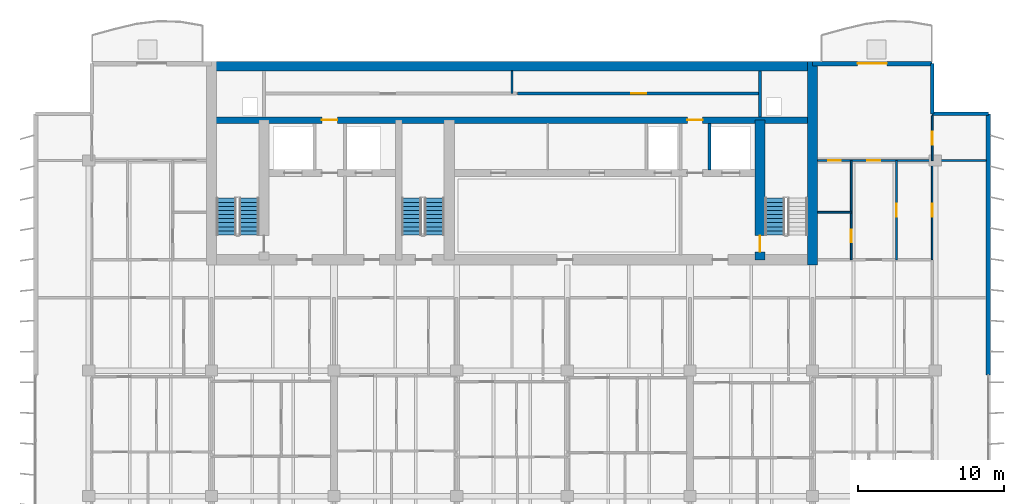
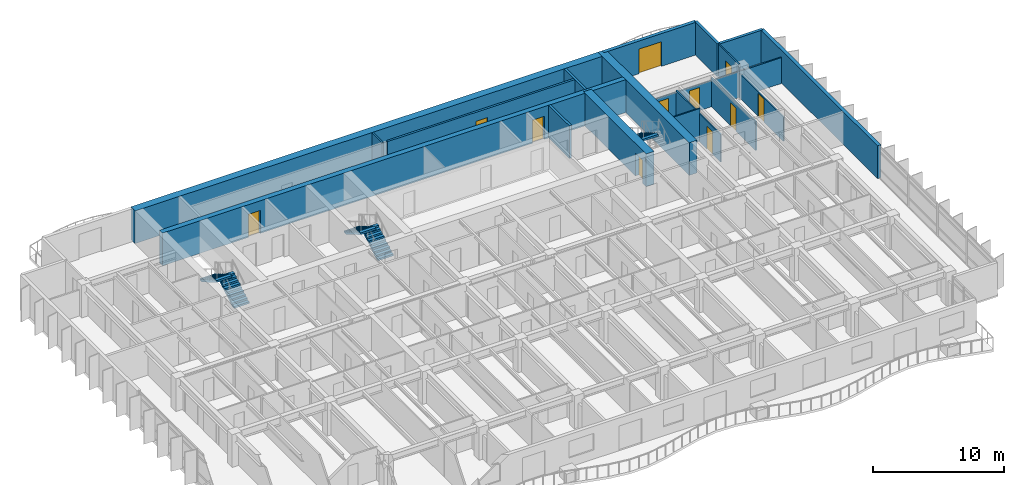
# One storey, part 14 of 19: 18 walls, 11 doors, 5 stair flights, 11 openings, 3 elements without a shape of their own.
"""IFC4 building model written with IfcOpenShell, lengths in metres."""

from ifc_helpers import new_model, si_unit, direction, frame, frame_2d, origin, place, context, subcontext, project, spatial, polyline, rectangle, outline, extrude, material, layer, layer_set, type_object, element, fill, aggregate, save


model = new_model("IFC4")

# Units and contexts
model_context = context("Model", 3, precision=1e-05, world=origin(), true_north=direction((0.0, 1.0)))
body_context = subcontext(model_context, "Body", "Model", "MODEL_VIEW")
ifc_project = project(units=[si_unit("LENGTHUNIT", "METRE"), si_unit("AREAUNIT", "SQUARE_METRE"), si_unit("VOLUMEUNIT", "CUBIC_METRE"), si_unit("PLANEANGLEUNIT", "RADIAN"), si_unit("MASSUNIT", "GRAM", prefix="KILO")], contexts=[model_context])

# Site, building, storey
site_placement = place(None, origin())
site = spatial("IfcSite", under=ifc_project, at=site_placement, CompositionType="ELEMENT")
building_placement = place(site_placement, origin())
building = spatial("IfcBuilding", under=site, at=building_placement, Name="Caelmar Bay Residences", CompositionType="ELEMENT")
storey_placement = place(building_placement, frame((0.0, 0.0, 214.800048828125)))
storey = spatial("IfcBuildingStorey", under=building, at=storey_placement, Name="L60", CompositionType="ELEMENT", Elevation=214.800048828125)

# Wall
ifc_material_1 = material(Name="Concrete f'c 55 MPa (8,000 psi)", Category="concrete")
ifc_layer_1 = layer(ifc_material_1, 0.699951171875)
ifc_layer_set_1 = layer_set([ifc_layer_1], Name="Concrete f'c 55 MPa (8,000 psi)")
wall_type_1 = type_object("IfcWallType", Name="SW-COR-700", PredefinedType="SHEAR", material=ifc_layer_set_1)
wall_1_placement = place(storey_placement, frame((59.5, 36.64990234375, 0.0), z_axis=(0.0, 0.0, 1.0), x_axis=(0.0, 1.0, 0.0)))
element("IfcWall", 1, at=wall_1_placement, inside=storey, type_object=wall_type_1, Name="L60 Rear Core East Shear Wall", PredefinedType="SHEAR", context=body_context, shape_type="SweptSolid", body=[
    extrude(rectangle(XDim=13.9501953125, YDim=0.699951171875, at=frame_2d((6.97509765625, 0.0))), origin(), (0.0, 0.0, 1.0), 3.050048828125),
])

# Wall, opening, door
wall_2_placement = place(storey_placement, frame((55.89990234375, 37.0, 0.0), z_axis=(0.0, 0.0, 1.0), x_axis=(0.0, 1.0, 0.0)))
wall_2 = element("IfcWall", 2, at=wall_2_placement, inside=storey, type_object=wall_type_1, Name="L60 Core Structural Web Wall ST2W", PredefinedType="SHEAR", context=body_context, shape_type="SweptSolid", body=[
    extrude(rectangle(XDim=9.574951171875, YDim=0.699951171875, at=frame_2d((4.78759765625, 0.0))), origin(), (0.0, 0.0, 1.0), 3.050048828125),
])
opening_1_placement = place(wall_2_placement, frame((0.550048828125, 0.0, 0.0)))
opening_1 = element("IfcOpeningElement", 3, at=opening_1_placement, cuts=wall_2, Name="Opening D-L60-110", PredefinedType="OPENING", context=body_context, shape_type="SweptSolid", body=[
    extrude(rectangle(XDim=1.10009765625, YDim=2.14990234375, at=frame_2d((0.550048828125, 1.074951171875))), frame((0.0, 0.35986328125, 0.0), z_axis=(0.0, -1.0, 0.0), x_axis=(1.0, 0.0, 0.0)), (0.0, 0.0, 1.0), 0.719970703125),
])
ifc_material_2 = material(Name="Fire-rated steel and walnut architectural door assembly", Category="steel")
ifc_layer_2 = layer(ifc_material_2, 0.050048828125)
ifc_layer_set_2 = layer_set([ifc_layer_2], Name="Fire-rated steel and walnut architectural door assembly")
door_type_1 = type_object("IfcDoorType", Name="D-STAIR-1100", OperationType="NOTDEFINED", PredefinedType="DOOR", material=ifc_layer_set_2)
door_1_placement = place(opening_1_placement, origin())
door_1 = element("IfcDoor", 4, at=door_1_placement, inside=storey, type_object=door_type_1, Name="L60 Firefighting Lobby East Door", OperationType="SINGLE_SWING_LEFT", OverallHeight=2.14990234375, OverallWidth=1.10009765625, PredefinedType="DOOR", context=body_context, shape_type="SweptSolid", body=[
    extrude(rectangle(XDim=1.10009765625, YDim=2.14990234375, at=frame_2d((0.550048828125, 1.074951171875))), frame((0.0, 0.02490234375, 0.0), z_axis=(0.0, -1.0, 0.0), x_axis=(1.0, 0.0, 0.0)), (0.0, 0.0, 1.0), 0.050048828125),
])
fill(opening_1, door_1)

# Wall
ifc_layer_3 = layer(ifc_material_1, 0.64990234375)
ifc_layer_set_3 = layer_set([ifc_layer_3], Name="Concrete f'c 55 MPa (8,000 psi)")
wall_type_2 = type_object("IfcWallType", Name="SW-CORN-650", PredefinedType="SHEAR", material=ifc_layer_set_3)
wall_3_placement = place(storey_placement, frame((17.949951171875, 50.27490234375, 0.0), z_axis=(0.0, 0.0, 1.0), x_axis=(1.0, 0.0, 0.0)))
element("IfcWall", 5, at=wall_3_placement, inside=storey, type_object=wall_type_2, Name="L60 Rear Core North Shear Wall", PredefinedType="SHEAR", context=body_context, shape_type="SweptSolid", body=[
    extrude(rectangle(XDim=41.900146484375, YDim=0.64990234375, at=frame_2d((20.9501953125, 0.0))), origin(), (0.0, 0.0, 1.0), 3.050048828125),
])

# Wall, openings, doors
ifc_material_3 = material(Name="Concrete f'c 70 MPa (10,000 psi)", Category="concrete")
ifc_layer_4 = layer(ifc_material_3, 0.449951171875)
ifc_layer_set_4 = layer_set([ifc_layer_4], Name="Concrete f'c 70 MPa (10,000 psi)")
wall_type_3 = type_object("IfcWallType", Name="SW-WEB-450", PredefinedType="SHEAR", material=ifc_layer_set_4)
wall_4_placement = place(storey_placement, frame((18.300048828125, 46.574951171875, 0.0), z_axis=(0.0, 0.0, 1.0), x_axis=(1.0, 0.0, 0.0)))
wall_4 = element("IfcWall", 6, at=wall_4_placement, inside=storey, type_object=wall_type_3, Name="L60 Core Structural Web Wall SRVS", PredefinedType="SHEAR", context=body_context, shape_type="SweptSolid", body=[
    extrude(rectangle(XDim=41.199951171875, YDim=0.449951171875, at=frame_2d((20.60009765625, 0.0))), origin(), (0.0, 0.0, 1.0), 3.050048828125),
])
opening_2_placement = place(wall_4_placement, frame((7.574951171875, 0.0, 0.0)))
opening_2 = element("IfcOpeningElement", 7, at=opening_2_placement, cuts=wall_4, Name="Opening D-L60-116", PredefinedType="OPENING", context=body_context, shape_type="SweptSolid", body=[
    extrude(rectangle(XDim=1.050048828125, YDim=2.14990234375, at=frame_2d((0.52490234375, 1.074951171875))), frame((0.0, 0.23486328125, 0.0), z_axis=(0.0, -1.0, 0.0), x_axis=(1.0, 0.0, 0.0)), (0.0, 0.0, 1.0), 0.469970703125),
])
opening_3_placement = place(wall_4_placement, frame((32.625, 0.0, 0.0)))
opening_3 = element("IfcOpeningElement", 8, at=opening_3_placement, cuts=wall_4, Name="Opening D-L60-117", PredefinedType="OPENING", context=body_context, shape_type="SweptSolid", body=[
    extrude(rectangle(XDim=1.050048828125, YDim=2.14990234375, at=frame_2d((0.52490234375, 1.074951171875))), frame((0.0, 0.23486328125, 0.0), z_axis=(0.0, -1.0, 0.0), x_axis=(1.0, 0.0, 0.0)), (0.0, 0.0, 1.0), 0.469970703125),
])
ifc_layer_5 = layer(ifc_material_2, 0.050048828125)
ifc_layer_set_5 = layer_set([ifc_layer_5], Name="Fire-rated steel and walnut architectural door assembly")
door_type_2 = type_object("IfcDoorType", Name="D-FSAE-1050", OperationType="NOTDEFINED", PredefinedType="DOOR", material=ifc_layer_set_5)
door_2_placement = place(opening_2_placement, origin())
door_2 = element("IfcDoor", 9, at=door_2_placement, inside=storey, type_object=door_type_2, Name="L60 Core Service Corridor Door", OperationType="SINGLE_SWING_LEFT", OverallHeight=2.14990234375, OverallWidth=1.050048828125, PredefinedType="DOOR", context=body_context, shape_type="SweptSolid", body=[
    extrude(rectangle(XDim=1.050048828125, YDim=2.14990234375, at=frame_2d((0.52490234375, 1.074951171875))), frame((0.0, 0.02490234375, 0.0), z_axis=(0.0, -1.0, 0.0), x_axis=(1.0, 0.0, 0.0)), (0.0, 0.0, 1.0), 0.050048828125),
])
fill(opening_2, door_2)
door_3_placement = place(opening_3_placement, origin())
door_3 = element("IfcDoor", 10, at=door_3_placement, inside=storey, type_object=door_type_2, Name="L60 Core Service Corridor Door", OperationType="SINGLE_SWING_RIGHT", OverallHeight=2.14990234375, OverallWidth=1.050048828125, PredefinedType="DOOR", context=body_context, shape_type="SweptSolid", body=[
    extrude(rectangle(XDim=1.050048828125, YDim=2.14990234375, at=frame_2d((0.52490234375, 1.074951171875))), frame((0.0, 0.02490234375, 0.0), z_axis=(0.0, -1.0, 0.0), x_axis=(1.0, 0.0, 0.0)), (0.0, 0.0, 1.0), 0.050048828125),
])
fill(opening_3, door_3)

# Wall, opening, door
ifc_material_4 = material(Name="Double-stud acoustic fire-rated gypsum partition 180 mm")
ifc_layer_6 = layer(ifc_material_4, 0.179931640625)
ifc_layer_set_6 = layer_set([ifc_layer_6], Name="Double-stud acoustic fire-rated gypsum partition 180 mm")
wall_type_4 = type_object("IfcWallType", Name="W-COR-200", PredefinedType="PARTITIONING", material=ifc_layer_set_6)
wall_5_placement = place(storey_placement, frame((39.280029296875, 48.39990234375, 0.0), z_axis=(0.0, 0.0, 1.0), x_axis=(1.0, 0.0, 0.0)))
wall_5 = element("IfcWall", 11, at=wall_5_placement, inside=storey, type_object=wall_type_4, Name="L60 Partition Wall H137", PredefinedType="PARTITIONING", context=body_context, shape_type="SweptSolid", body=[
    extrude(rectangle(XDim=16.619873046875, YDim=0.179931640625, at=frame_2d((8.31005859375, 0.0))), origin(), (0.0, 0.0, 1.0), 3.050048828125),
])
opening_4_placement = place(wall_5_placement, frame((7.81005859375, 0.0, 0.0)))
opening_4 = element("IfcOpeningElement", 12, at=opening_4_placement, cuts=wall_5, Name="Opening D-L60-119", PredefinedType="OPENING", context=body_context, shape_type="SweptSolid", body=[
    extrude(rectangle(XDim=1.0, YDim=2.199951171875, at=frame_2d((0.5, 1.10009765625))), frame((0.0, 0.099853515625, 0.0), z_axis=(0.0, -1.0, 0.0), x_axis=(1.0, 0.0, 0.0)), (0.0, 0.0, 1.0), 0.199951171875),
])
ifc_layer_7 = layer(ifc_material_2, 0.050048828125)
ifc_layer_set_7 = layer_set([ifc_layer_7], Name="Fire-rated steel and walnut architectural door assembly")
door_type_3 = type_object("IfcDoorType", Name="D-UNIT-1000", OperationType="NOTDEFINED", PredefinedType="DOOR", material=ifc_layer_set_7)
door_4_placement = place(opening_4_placement, origin())
door_4 = element("IfcDoor", 13, at=door_4_placement, inside=storey, type_object=door_type_3, Name="L60 Concierge Operations Office Door", OperationType="SINGLE_SWING_RIGHT", OverallHeight=2.199951171875, OverallWidth=1.0, PredefinedType="DOOR", context=body_context, shape_type="SweptSolid", body=[
    extrude(rectangle(XDim=1.0, YDim=2.199951171875, at=frame_2d((0.5, 1.10009765625))), frame((0.0, 0.02490234375, 0.0), z_axis=(0.0, -1.0, 0.0), x_axis=(1.0, 0.0, 0.0)), (0.0, 0.0, 1.0), 0.050048828125),
])
fill(opening_4, door_4)

# Walls
ifc_material_5 = material(Name="Precast concrete f'c 40 MPa (6,000 psi)", Category="concrete")
ifc_layer_8 = layer(ifc_material_5, 0.25)
ifc_layer_set_8 = layer_set([ifc_layer_8], Name="Precast concrete f'c 40 MPa (6,000 psi)")
wall_type_5 = type_object("IfcWallType", Name="W-EXT-250", PredefinedType="ELEMENTEDWALL", material=ifc_layer_set_8)
wall_6_placement = place(storey_placement, frame((67.699951171875, 50.449951171875, 0.0), z_axis=(0.0, 0.0, 1.0), x_axis=(0.0, -1.0, 0.0)))
element("IfcWall", 14, at=wall_6_placement, inside=storey, type_object=wall_type_5, Name="L60 NNE-V Notch Wall", PredefinedType="ELEMENTEDWALL", context=body_context, shape_type="SweptSolid", body=[
    extrude(rectangle(XDim=3.449951171875, YDim=0.25, at=frame_2d((1.72509765625, 0.0))), origin(), (0.0, 0.0, 1.0), 3.050048828125),
])
wall_7_placement = place(storey_placement, frame((67.699951171875, 47.0, 0.0), z_axis=(0.0, 0.0, 1.0), x_axis=(1.0, 0.0, 0.0)))
element("IfcWall", 15, at=wall_7_placement, inside=storey, type_object=wall_type_5, Name="L60 NNE-H Notch Wall", PredefinedType="ELEMENTEDWALL", context=body_context, shape_type="SweptSolid", body=[
    extrude(rectangle(XDim=3.85009765625, YDim=0.25, at=frame_2d((1.925048828125, 0.0))), origin(), (0.0, 0.0, 1.0), 3.050048828125),
])
ifc_layer_9 = layer(ifc_material_5, 0.300048828125)
ifc_layer_set_9 = layer_set([ifc_layer_9], Name="Precast concrete f'c 40 MPa (6,000 psi)")
wall_type_6 = type_object("IfcWallType", Name="W-EXT-300", PredefinedType="STANDARD", material=ifc_layer_set_9)
wall_8_placement = place(storey_placement, frame((71.550048828125, 47.0, 0.0), z_axis=(0.0, 0.0, 1.0), x_axis=(0.0, -1.0, 0.0)))
element("IfcWall", 16, at=wall_8_placement, inside=storey, type_object=wall_type_6, Name="L60 East Rear Exterior Wall", PredefinedType="STANDARD", context=body_context, shape_type="SweptSolid", body=[
    extrude(rectangle(XDim=17.89990234375, YDim=0.300048828125, at=frame_2d((8.949951171875, 0.0))), origin(), (0.0, 0.0, 1.0), 3.050048828125),
])

# Wall, opening, door
wall_9_placement = place(storey_placement, frame((59.5, 50.449951171875, 0.0), z_axis=(0.0, 0.0, 1.0), x_axis=(1.0, 0.0, 0.0)))
wall_9 = element("IfcWall", 17, at=wall_9_placement, inside=storey, type_object=wall_type_6, Name="L60 North-East Wing Exterior Wall", PredefinedType="STANDARD", context=body_context, shape_type="SweptSolid", body=[
    extrude(rectangle(XDim=8.199951171875, YDim=0.300048828125, at=frame_2d((4.10009765625, 0.0))), origin(), (0.0, 0.0, 1.0), 3.050048828125),
])
opening_5_placement = place(wall_9_placement, frame((3.10009765625, 0.0, 0.0)))
opening_5 = element("IfcOpeningElement", 18, at=opening_5_placement, cuts=wall_9, Name="Opening L60-BDNE", PredefinedType="OPENING", context=body_context, shape_type="SweptSolid", body=[
    extrude(rectangle(XDim=2.0, YDim=2.300048828125, at=frame_2d((1.0, 1.14990234375))), frame((0.0, 0.159912109375, 0.0), z_axis=(0.0, -1.0, 0.0), x_axis=(1.0, 0.0, 0.0)), (0.0, 0.0, 1.0), 0.320068359375),
])
ifc_material_6 = material(Name="Anodised bronze thermally broken sliding glass door", Category="glass")
ifc_layer_10 = layer(ifc_material_6, 0.050048828125)
ifc_layer_set_10 = layer_set([ifc_layer_10], Name="Anodised bronze thermally broken sliding glass door")
door_type_4 = type_object("IfcDoorType", Name="D-BAL-2000", OperationType="DOUBLE_DOOR_SLIDING", PredefinedType="DOOR", material=ifc_layer_set_10)
door_5_placement = place(opening_5_placement, origin())
door_5 = element("IfcDoor", 19, at=door_5_placement, inside=storey, type_object=door_type_4, Name="L60 North-East Balcony Door", OperationType="DOUBLE_DOOR_SLIDING", OverallHeight=2.300048828125, OverallWidth=2.0, PredefinedType="DOOR", context=body_context, shape_type="SweptSolid", body=[
    extrude(rectangle(XDim=2.0, YDim=2.300048828125, at=frame_2d((1.0, 1.14990234375))), frame((0.0, 0.02490234375, 0.0), z_axis=(0.0, -1.0, 0.0), x_axis=(1.0, 0.0, 0.0)), (0.0, 0.0, 1.0), 0.050048828125),
])
fill(opening_5, door_5)

# Walls
ifc_material_7 = material(Name="Fire-rated masonry and gypsum shaftliner assembly 200 mm", Category="masonry")
ifc_layer_11 = layer(ifc_material_7, 0.199951171875)
ifc_layer_set_11 = layer_set([ifc_layer_11], Name="Fire-rated masonry and gypsum shaftliner assembly 200 mm")
wall_type_7 = type_object("IfcWallType", Name="W-FSAE-200", PredefinedType="PARTITIONING", material=ifc_layer_set_11)
wall_10_placement = place(storey_placement, frame((52.449951171875, 43.169921875, 0.0), z_axis=(0.0, 0.0, 1.0), x_axis=(0.0, 1.0, 0.0)))
element("IfcWall", 20, at=wall_10_placement, inside=storey, type_object=wall_type_7, Name="L60 Partition Wall V074", PredefinedType="PARTITIONING", context=body_context, shape_type="SweptSolid", body=[
    extrude(rectangle(XDim=3.18505859375, YDim=0.199951171875, at=frame_2d((1.592529296875, 0.0))), origin(), (0.0, 0.0, 1.0), 3.050048828125),
])
wall_11_placement = place(storey_placement, frame((55.89990234375, 46.794921875, 0.0), z_axis=(0.0, 0.0, 1.0), x_axis=(0.0, 1.0, 0.0)))
element("IfcWall", 21, at=wall_11_placement, inside=storey, type_object=wall_type_7, Name="L60 Partition Wall V079", PredefinedType="PARTITIONING", context=body_context, shape_type="SweptSolid", body=[
    extrude(rectangle(XDim=3.16015625, YDim=0.199951171875, at=frame_2d((1.580078125, 0.0))), origin(), (0.0, 0.0, 1.0), 3.050048828125),
])

# Wall, opening, door
ifc_material_8 = material(Name="Anodised bronze framed acoustic sliding study partition 100 mm")
ifc_layer_12 = layer(ifc_material_8, 0.10009765625)
ifc_layer_set_12 = layer_set([ifc_layer_12], Name="Anodised bronze framed acoustic sliding study partition 100 mm")
wall_type_8 = type_object("IfcWallType", Name="W-MOV-100", PredefinedType="MOVABLE", material=ifc_layer_set_12)
wall_12_placement = place(storey_placement, frame((67.699951171875, 37.0048828125, 0.0), z_axis=(0.0, 0.0, 1.0), x_axis=(0.0, 1.0, 0.0)))
wall_12 = element("IfcWall", 22, at=wall_12_placement, inside=storey, type_object=wall_type_8, Name="L60 Partition Wall V102", PredefinedType="MOVABLE", context=body_context, shape_type="SweptSolid", body=[
    extrude(rectangle(XDim=6.795166015625, YDim=0.10009765625, at=frame_2d((3.3974609375, 0.0))), origin(), (0.0, 0.0, 1.0), 2.262939453125),
])
opening_6_placement = place(wall_12_placement, frame((2.947509765625, 0.0, 0.0)))
opening_6 = element("IfcOpeningElement", 23, at=opening_6_placement, cuts=wall_12, Name="Opening D-L60-182", PredefinedType="OPENING", context=body_context, shape_type="SweptSolid", body=[
    extrude(rectangle(XDim=0.89990234375, YDim=2.14990234375, at=frame_2d((0.449951171875, 1.074951171875))), frame((0.0, 0.06005859375, 0.0), z_axis=(0.0, -1.0, 0.0), x_axis=(1.0, 0.0, 0.0)), (0.0, 0.0, 1.0), 0.1201171875),
])
ifc_material_9 = material(Name="Solid walnut timber interior door leaf and frame", Category="wood")
ifc_layer_13 = layer(ifc_material_9, 0.050048828125)
ifc_layer_set_13 = layer_set([ifc_layer_13], Name="Solid walnut timber interior door leaf and frame")
door_type_5 = type_object("IfcDoorType", Name="D-ROOM-900", OperationType="NOTDEFINED", PredefinedType="DOOR", material=ifc_layer_set_13)
door_6_placement = place(opening_6_placement, origin())
door_6 = element("IfcDoor", 24, at=door_6_placement, inside=storey, type_object=door_type_5, Name="L60 Residence EA Sun Study Door", OperationType="SINGLE_SWING_LEFT", OverallHeight=2.14990234375, OverallWidth=0.89990234375, PredefinedType="DOOR", context=body_context, shape_type="SweptSolid", body=[
    extrude(rectangle(XDim=0.89990234375, YDim=2.14990234375, at=frame_2d((0.449951171875, 1.074951171875))), frame((0.0, 0.02490234375, 0.0), z_axis=(0.0, -1.0, 0.0), x_axis=(1.0, 0.0, 0.0)), (0.0, 0.0, 1.0), 0.050048828125),
])
fill(opening_6, door_6)

# Wall
ifc_material_10 = material(Name="Acoustic metal-stud gypsum partition 120 mm")
ifc_layer_14 = layer(ifc_material_10, 0.1201171875)
ifc_layer_set_14 = layer_set([ifc_layer_14], Name="Acoustic metal-stud gypsum partition 120 mm")
wall_type_9 = type_object("IfcWallType", Name="W-PRT-120", PredefinedType="PARTITIONING", material=ifc_layer_set_14)
wall_13_placement = place(storey_placement, frame((38.89990234375, 48.39990234375, 0.0), z_axis=(0.0, 0.0, 1.0), x_axis=(0.0, 1.0, 0.0)))
element("IfcWall", 25, at=wall_13_placement, inside=storey, type_object=wall_type_9, Name="L60 Partition Wall V048", PredefinedType="PARTITIONING", context=body_context, shape_type="SweptSolid", body=[
    extrude(rectangle(XDim=1.55517578125, YDim=0.1201171875, at=frame_2d((0.777587890625, 0.0))), origin(), (0.0, 0.0, 1.0), 3.050048828125),
])

# Wall, opening, door
wall_14_placement = place(storey_placement, frame((62.14990234375, 37.0, 0.0), z_axis=(0.0, 0.0, 1.0), x_axis=(0.0, 1.0, 0.0)))
wall_14 = element("IfcWall", 26, at=wall_14_placement, inside=storey, type_object=wall_type_9, Name="L60 Partition Wall V088", PredefinedType="PARTITIONING", context=body_context, shape_type="SweptSolid", body=[
    extrude(rectangle(XDim=6.800048828125, YDim=0.1201171875, at=frame_2d((3.39990234375, 0.0))), origin(), (0.0, 0.0, 1.0), 2.577880859375),
])
opening_7_placement = place(wall_14_placement, frame((1.20703125, 0.0, 0.0)))
opening_7 = element("IfcOpeningElement", 27, at=opening_7_placement, cuts=wall_14, Name="Opening D-L60-180", PredefinedType="OPENING", context=body_context, shape_type="SweptSolid", body=[
    extrude(rectangle(XDim=0.85009765625, YDim=2.10009765625, at=frame_2d((0.425048828125, 1.050048828125))), frame((0.0, 0.070068359375, 0.0), z_axis=(0.0, -1.0, 0.0), x_axis=(1.0, 0.0, 0.0)), (0.0, 0.0, 1.0), 0.14013671875),
])
ifc_layer_15 = layer(ifc_material_9, 0.050048828125)
ifc_layer_set_15 = layer_set([ifc_layer_15], Name="Solid walnut timber interior door leaf and frame")
door_type_6 = type_object("IfcDoorType", Name="D-BATH-850", OperationType="NOTDEFINED", PredefinedType="DOOR", material=ifc_layer_set_15)
door_7_placement = place(opening_7_placement, origin())
door_7 = element("IfcDoor", 28, at=door_7_placement, inside=storey, type_object=door_type_6, Name="L60 Residence EA Walk-In Closet Door", OperationType="SINGLE_SWING_LEFT", OverallHeight=2.10009765625, OverallWidth=0.85009765625, PredefinedType="DOOR", context=body_context, shape_type="SweptSolid", body=[
    extrude(rectangle(XDim=0.85009765625, YDim=2.10009765625, at=frame_2d((0.425048828125, 1.050048828125))), frame((0.0, 0.02490234375, 0.0), z_axis=(0.0, -1.0, 0.0), x_axis=(1.0, 0.0, 0.0)), (0.0, 0.0, 1.0), 0.050048828125),
])
fill(opening_7, door_7)

wall_15_placement = place(storey_placement, frame((65.258056640625, 37.0, 0.0), z_axis=(0.0, 0.0, 1.0), x_axis=(0.0, 1.0, 0.0)))
wall_15 = element("IfcWall", 29, at=wall_15_placement, inside=storey, type_object=wall_type_9, Name="L60 Partition Wall V094", PredefinedType="PARTITIONING", context=body_context, shape_type="SweptSolid", body=[
    extrude(rectangle(XDim=6.800048828125, YDim=0.1201171875, at=frame_2d((3.39990234375, 0.0))), origin(), (0.0, 0.0, 1.0), 2.678955078125),
])
opening_8_placement = place(wall_15_placement, frame((2.949951171875, 0.0, 0.0)))
opening_8 = element("IfcOpeningElement", 30, at=opening_8_placement, cuts=wall_15, Name="Opening D-L60-177", PredefinedType="OPENING", context=body_context, shape_type="SweptSolid", body=[
    extrude(rectangle(XDim=0.89990234375, YDim=2.14990234375, at=frame_2d((0.449951171875, 1.074951171875))), frame((0.0, 0.070068359375, 0.0), z_axis=(0.0, -1.0, 0.0), x_axis=(1.0, 0.0, 0.0)), (0.0, 0.0, 1.0), 0.14013671875),
])
door_8_placement = place(opening_8_placement, origin())
door_8 = element("IfcDoor", 31, at=door_8_placement, inside=storey, type_object=door_type_5, Name="L60 Residence EA Dining Room Door", OperationType="SINGLE_SWING_RIGHT", OverallHeight=2.14990234375, OverallWidth=0.89990234375, PredefinedType="DOOR", context=body_context, shape_type="SweptSolid", body=[
    extrude(rectangle(XDim=0.89990234375, YDim=2.14990234375, at=frame_2d((0.449951171875, 1.074951171875))), frame((0.0, 0.02490234375, 0.0), z_axis=(0.0, -1.0, 0.0), x_axis=(1.0, 0.0, 0.0)), (0.0, 0.0, 1.0), 0.050048828125),
])
fill(opening_8, door_8)

wall_16_placement = place(storey_placement, frame((67.699951171875, 43.804931640625, 0.0), z_axis=(0.0, 0.0, 1.0), x_axis=(0.0, 1.0, 0.0)))
wall_16 = element("IfcWall", 32, at=wall_16_placement, inside=storey, type_object=wall_type_9, Name="L60 Partition Wall V103", PredefinedType="PARTITIONING", context=body_context, shape_type="SweptSolid", body=[
    extrude(rectangle(XDim=3.074951171875, YDim=0.1201171875, at=frame_2d((1.53759765625, 0.0))), origin(), (0.0, 0.0, 1.0), 3.050048828125),
])
opening_9_placement = place(wall_16_placement, frame((1.08740234375, 0.0, 0.0)))
opening_9 = element("IfcOpeningElement", 33, at=opening_9_placement, cuts=wall_16, Name="Opening D-L60-183", PredefinedType="OPENING", context=body_context, shape_type="SweptSolid", body=[
    extrude(rectangle(XDim=0.89990234375, YDim=2.14990234375, at=frame_2d((0.449951171875, 1.074951171875))), frame((0.0, 0.070068359375, 0.0), z_axis=(0.0, -1.0, 0.0), x_axis=(1.0, 0.0, 0.0)), (0.0, 0.0, 1.0), 0.14013671875),
])
door_9_placement = place(opening_9_placement, origin())
door_9 = element("IfcDoor", 34, at=door_9_placement, inside=storey, type_object=door_type_5, Name="L60 Residence EA North Sitting Alcove Door", OperationType="SINGLE_SWING_RIGHT", OverallHeight=2.14990234375, OverallWidth=0.89990234375, PredefinedType="DOOR", context=body_context, shape_type="SweptSolid", body=[
    extrude(rectangle(XDim=0.89990234375, YDim=2.14990234375, at=frame_2d((0.449951171875, 1.074951171875))), frame((0.0, 0.02490234375, 0.0), z_axis=(0.0, -1.0, 0.0), x_axis=(1.0, 0.0, 0.0)), (0.0, 0.0, 1.0), 0.050048828125),
])
fill(opening_9, door_9)

# Wall
wall_17_placement = place(storey_placement, frame((59.844970703125, 40.263916015625, 0.0), z_axis=(0.0, 0.0, 1.0), x_axis=(1.0, 0.0, 0.0)))
element("IfcWall", 35, at=wall_17_placement, inside=storey, type_object=wall_type_9, Name="L60 Partition Wall H133", PredefinedType="PARTITIONING", context=body_context, shape_type="SweptSolid", body=[
    extrude(rectangle(XDim=2.304931640625, YDim=0.1201171875, at=frame_2d((1.15234375, 0.0))), origin(), (0.0, 0.0, 1.0), 3.050048828125),
])

# Wall, openings, doors
wall_18_placement = place(storey_placement, frame((59.844970703125, 43.800048828125, 0.0), z_axis=(0.0, 0.0, 1.0), x_axis=(1.0, 0.0, 0.0)))
wall_18 = element("IfcWall", 36, at=wall_18_placement, inside=storey, type_object=wall_type_9, Name="L60 Partition Wall H135", PredefinedType="PARTITIONING", context=body_context, shape_type="SweptSolid", body=[
    extrude(rectangle(XDim=11.56005859375, YDim=0.1201171875, at=frame_2d((5.780029296875, 0.0))), origin(), (0.0, 0.0, 1.0), 2.41796875),
])
opening_10_placement = place(wall_18_placement, frame((3.408935546875, 0.0, 0.0)))
opening_10 = element("IfcOpeningElement", 37, at=opening_10_placement, cuts=wall_18, Name="Opening D-L60-179", PredefinedType="OPENING", context=body_context, shape_type="SweptSolid", body=[
    extrude(rectangle(XDim=0.89990234375, YDim=2.14990234375, at=frame_2d((0.449951171875, 1.074951171875))), frame((0.0, 0.070068359375, 0.0), z_axis=(0.0, -1.0, 0.0), x_axis=(1.0, 0.0, 0.0)), (0.0, 0.0, 1.0), 0.14013671875),
])
opening_11_placement = place(wall_18_placement, frame((0.7275390625, 0.0, 0.0)))
opening_11 = element("IfcOpeningElement", 38, at=opening_11_placement, cuts=wall_18, Name="Opening D-L60-181", PredefinedType="OPENING", context=body_context, shape_type="SweptSolid", body=[
    extrude(rectangle(XDim=0.85009765625, YDim=2.10009765625, at=frame_2d((0.425048828125, 1.050048828125))), frame((0.0, 0.070068359375, 0.0), z_axis=(0.0, -1.0, 0.0), x_axis=(1.0, 0.0, 0.0)), (0.0, 0.0, 1.0), 0.14013671875),
])
door_10_placement = place(opening_11_placement, origin())
door_10 = element("IfcDoor", 39, at=door_10_placement, inside=storey, type_object=door_type_6, Name="L60 Residence EA Bathroom Door", OperationType="SINGLE_SWING_RIGHT", OverallHeight=2.10009765625, OverallWidth=0.85009765625, PredefinedType="DOOR", context=body_context, shape_type="SweptSolid", body=[
    extrude(rectangle(XDim=0.85009765625, YDim=2.10009765625, at=frame_2d((0.425048828125, 1.050048828125))), frame((0.0, 0.02490234375, 0.0), z_axis=(0.0, -1.0, 0.0), x_axis=(1.0, 0.0, 0.0)), (0.0, 0.0, 1.0), 0.050048828125),
])
fill(opening_11, door_10)
door_11_placement = place(opening_10_placement, origin())
door_11 = element("IfcDoor", 40, at=door_11_placement, inside=storey, type_object=door_type_5, Name="L60 Residence EA Studio Living and Sleeping Room Door", OperationType="SINGLE_SWING_RIGHT", OverallHeight=2.14990234375, OverallWidth=0.89990234375, PredefinedType="DOOR", context=body_context, shape_type="SweptSolid", body=[
    extrude(rectangle(XDim=0.89990234375, YDim=2.14990234375, at=frame_2d((0.449951171875, 1.074951171875))), frame((0.0, 0.02490234375, 0.0), z_axis=(0.0, -1.0, 0.0), x_axis=(1.0, 0.0, 0.0)), (0.0, 0.0, 1.0), 0.050048828125),
])
fill(opening_10, door_11)

# Stair, stair flights
ifc_material_11 = material(Name="Concrete f'c 40 MPa (6,000 psi)", Category="concrete")
stair_type = type_object("IfcStairType", Name="ST-TYP-165", PredefinedType="HALF_TURN_STAIR", material=ifc_material_11)
stair_1_placement = place(storey_placement, origin())
stair_1 = element("IfcStair", 41, at=stair_1_placement, inside=storey, type_object=stair_type, Name="L60 West Smokeproof Exit Stair ST1", PredefinedType="HALF_TURN_STAIR")
stair_flight_type = type_object("IfcStairFlightType", Name="STF-1350", PredefinedType="STRAIGHT", material=ifc_material_11)
stair_flight_1_placement = place(storey_placement, frame((20.875, 38.699951171875, 0.0), z_axis=(0.0, 0.0, 1.0), x_axis=(0.0, 1.0, 0.0)))
stair_flight_1 = element("IfcStairFlight", 42, at=stair_flight_1_placement, type_object=stair_flight_type, Name="ST1 flight 1", NumberOfRisers=10, NumberOfTreads=9, PredefinedType="STRAIGHT", RiserHeight=0.165, TreadLength=0.28, context=body_context, shape_type="SweptSolid", body=[
    extrude(outline(polyline([(0.0, 0.0), (0.0, 0.1650390625), (0.280029296875, 0.1650390625), (0.280029296875, 0.330078125), (0.56005859375, 0.330078125), (0.56005859375, 0.4951171875), (0.840087890625, 0.4951171875), (0.840087890625, 0.659912109375), (1.1201171875, 0.659912109375), (1.1201171875, 0.824951171875), (1.39990234375, 0.824951171875), (1.39990234375, 0.989990234375), (1.679931640625, 0.989990234375), (1.679931640625, 1.155029296875), (1.9599609375, 1.155029296875), (1.9599609375, 1.320068359375), (2.239990234375, 1.320068359375), (2.239990234375, 1.485107421875), (2.52001953125, 1.485107421875), (2.52001953125, 1.64990234375), (2.52001953125, 1.31103515625), (0.295166015625, 0.0), (0.0, 0.0)])), frame((0.0, 0.675048828125, 0.0), z_axis=(0.0, -1.0, 0.0), x_axis=(1.0, 0.0, 0.0)), (0.0, 0.0, 1.0), 1.35009765625),
])
stair_flight_2_placement = place(storey_placement, frame((19.324951171875, 41.219970703125, 1.64990234375), z_axis=(0.0, 0.0, 1.0), x_axis=(0.0, -1.0, 0.0)))
stair_flight_2 = element("IfcStairFlight", 43, at=stair_flight_2_placement, type_object=stair_flight_type, Name="ST1 flight 2", NumberOfRisers=10, NumberOfTreads=9, PredefinedType="STRAIGHT", RiserHeight=0.165, TreadLength=0.28, context=body_context, shape_type="SweptSolid", body=[
    extrude(outline(polyline([(0.0, 0.0), (0.0, 0.1650390625), (0.280029296875, 0.1650390625), (0.280029296875, 0.330078125), (0.56005859375, 0.330078125), (0.56005859375, 0.4951171875), (0.840087890625, 0.4951171875), (0.840087890625, 0.659912109375), (1.1201171875, 0.659912109375), (1.1201171875, 0.824951171875), (1.39990234375, 0.824951171875), (1.39990234375, 0.989990234375), (1.679931640625, 0.989990234375), (1.679931640625, 1.155029296875), (1.9599609375, 1.155029296875), (1.9599609375, 1.320068359375), (2.239990234375, 1.320068359375), (2.239990234375, 1.485107421875), (2.52001953125, 1.485107421875), (2.52001953125, 1.64990234375), (2.52001953125, 1.31103515625), (0.295166015625, 0.0), (0.0, 0.0)])), frame((0.0, 0.675048828125, 0.0), z_axis=(0.0, -1.0, 0.0), x_axis=(1.0, 0.0, 0.0)), (0.0, 0.0, 1.0), 1.35009765625),
])
aggregate(stair_1, [stair_flight_1, stair_flight_2])

# Stair, stair flight
stair_2_placement = place(storey_placement, origin())
stair_2 = element("IfcStair", 44, at=stair_2_placement, inside=storey, type_object=stair_type, Name="L60 East Smokeproof Exit Stair ST2", PredefinedType="HALF_TURN_STAIR")
stair_flight_3_placement = place(storey_placement, frame((56.925048828125, 41.219970703125, 1.64990234375), z_axis=(0.0, 0.0, 1.0), x_axis=(0.0, -1.0, 0.0)))
stair_flight_3 = element("IfcStairFlight", 45, at=stair_flight_3_placement, type_object=stair_flight_type, Name="ST2 flight 2", NumberOfRisers=10, NumberOfTreads=9, PredefinedType="STRAIGHT", RiserHeight=0.165, TreadLength=0.28, context=body_context, shape_type="SweptSolid", body=[
    extrude(outline(polyline([(0.0, 0.0), (0.0, 0.1650390625), (0.280029296875, 0.1650390625), (0.280029296875, 0.330078125), (0.56005859375, 0.330078125), (0.56005859375, 0.4951171875), (0.840087890625, 0.4951171875), (0.840087890625, 0.659912109375), (1.1201171875, 0.659912109375), (1.1201171875, 0.824951171875), (1.39990234375, 0.824951171875), (1.39990234375, 0.989990234375), (1.679931640625, 0.989990234375), (1.679931640625, 1.155029296875), (1.9599609375, 1.155029296875), (1.9599609375, 1.320068359375), (2.239990234375, 1.320068359375), (2.239990234375, 1.485107421875), (2.52001953125, 1.485107421875), (2.52001953125, 1.64990234375), (2.52001953125, 1.31103515625), (0.295166015625, 0.0), (0.0, 0.0)])), frame((0.0, 0.675048828125, 0.0), z_axis=(0.0, -1.0, 0.0), x_axis=(1.0, 0.0, 0.0)), (0.0, 0.0, 1.0), 1.35009765625),
])
aggregate(stair_2, [stair_flight_3])

# Stair, stair flights
stair_3_placement = place(storey_placement, origin())
stair_3 = element("IfcStair", 46, at=stair_3_placement, inside=storey, type_object=stair_type, Name="L60 Central Smokeproof Exit Stair ST3", PredefinedType="HALF_TURN_STAIR")
stair_flight_4_placement = place(storey_placement, frame((33.574951171875, 38.699951171875, 0.0), z_axis=(0.0, 0.0, 1.0), x_axis=(0.0, 1.0, 0.0)))
stair_flight_4 = element("IfcStairFlight", 47, at=stair_flight_4_placement, type_object=stair_flight_type, Name="ST3 flight 1", NumberOfRisers=10, NumberOfTreads=9, PredefinedType="STRAIGHT", RiserHeight=0.165, TreadLength=0.28, context=body_context, shape_type="SweptSolid", body=[
    extrude(outline(polyline([(0.0, 0.0), (0.0, 0.1650390625), (0.280029296875, 0.1650390625), (0.280029296875, 0.330078125), (0.56005859375, 0.330078125), (0.56005859375, 0.4951171875), (0.840087890625, 0.4951171875), (0.840087890625, 0.659912109375), (1.1201171875, 0.659912109375), (1.1201171875, 0.824951171875), (1.39990234375, 0.824951171875), (1.39990234375, 0.989990234375), (1.679931640625, 0.989990234375), (1.679931640625, 1.155029296875), (1.9599609375, 1.155029296875), (1.9599609375, 1.320068359375), (2.239990234375, 1.320068359375), (2.239990234375, 1.485107421875), (2.52001953125, 1.485107421875), (2.52001953125, 1.64990234375), (2.52001953125, 1.31103515625), (0.295166015625, 0.0), (0.0, 0.0)])), frame((0.0, 0.675048828125, 0.0), z_axis=(0.0, -1.0, 0.0), x_axis=(1.0, 0.0, 0.0)), (0.0, 0.0, 1.0), 1.35009765625),
])
stair_flight_5_placement = place(storey_placement, frame((32.02490234375, 41.219970703125, 1.64990234375), z_axis=(0.0, 0.0, 1.0), x_axis=(0.0, -1.0, 0.0)))
stair_flight_5 = element("IfcStairFlight", 48, at=stair_flight_5_placement, type_object=stair_flight_type, Name="ST3 flight 2", NumberOfRisers=10, NumberOfTreads=9, PredefinedType="STRAIGHT", RiserHeight=0.165, TreadLength=0.28, context=body_context, shape_type="SweptSolid", body=[
    extrude(outline(polyline([(0.0, 0.0), (0.0, 0.1650390625), (0.280029296875, 0.1650390625), (0.280029296875, 0.330078125), (0.56005859375, 0.330078125), (0.56005859375, 0.4951171875), (0.840087890625, 0.4951171875), (0.840087890625, 0.659912109375), (1.1201171875, 0.659912109375), (1.1201171875, 0.824951171875), (1.39990234375, 0.824951171875), (1.39990234375, 0.989990234375), (1.679931640625, 0.989990234375), (1.679931640625, 1.155029296875), (1.9599609375, 1.155029296875), (1.9599609375, 1.320068359375), (2.239990234375, 1.320068359375), (2.239990234375, 1.485107421875), (2.52001953125, 1.485107421875), (2.52001953125, 1.64990234375), (2.52001953125, 1.31103515625), (0.295166015625, 0.0), (0.0, 0.0)])), frame((0.0, 0.675048828125, 0.0), z_axis=(0.0, -1.0, 0.0), x_axis=(1.0, 0.0, 0.0)), (0.0, 0.0, 1.0), 1.35009765625),
])
aggregate(stair_3, [stair_flight_4, stair_flight_5])

save(model, "model.ifc")
